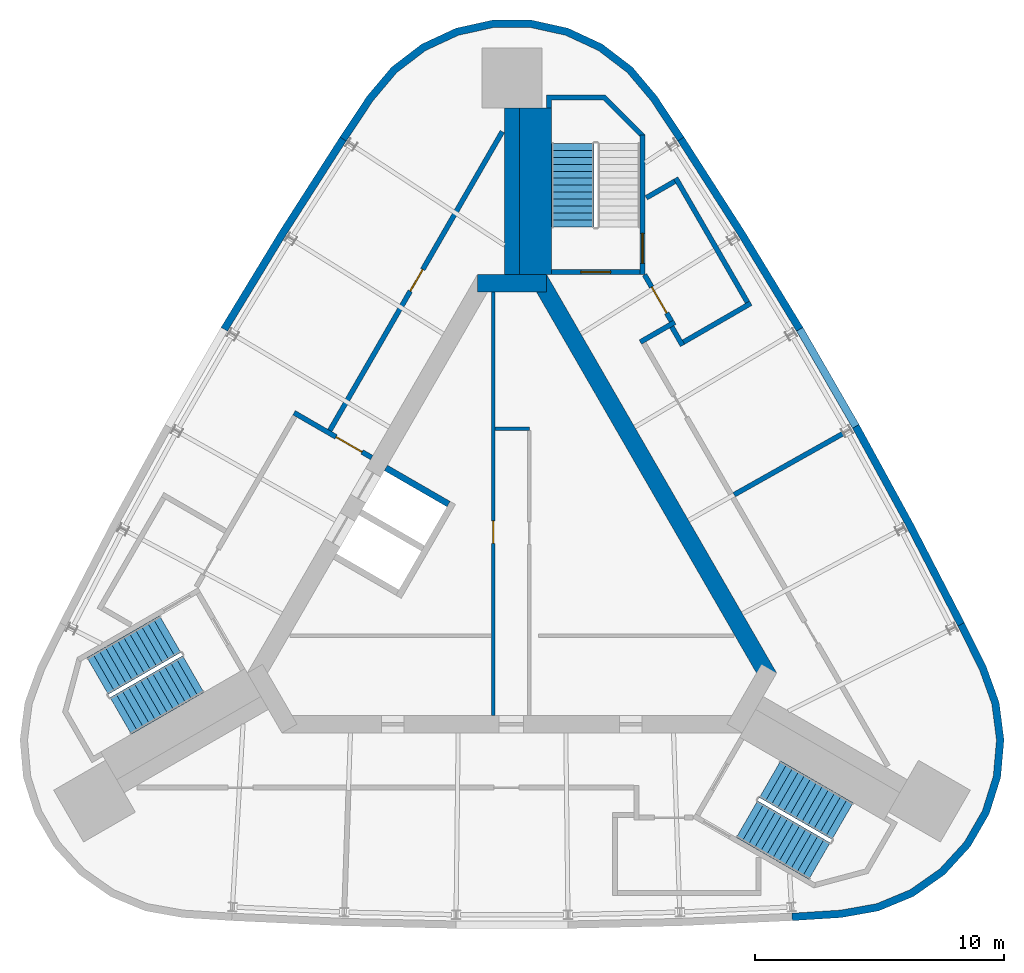
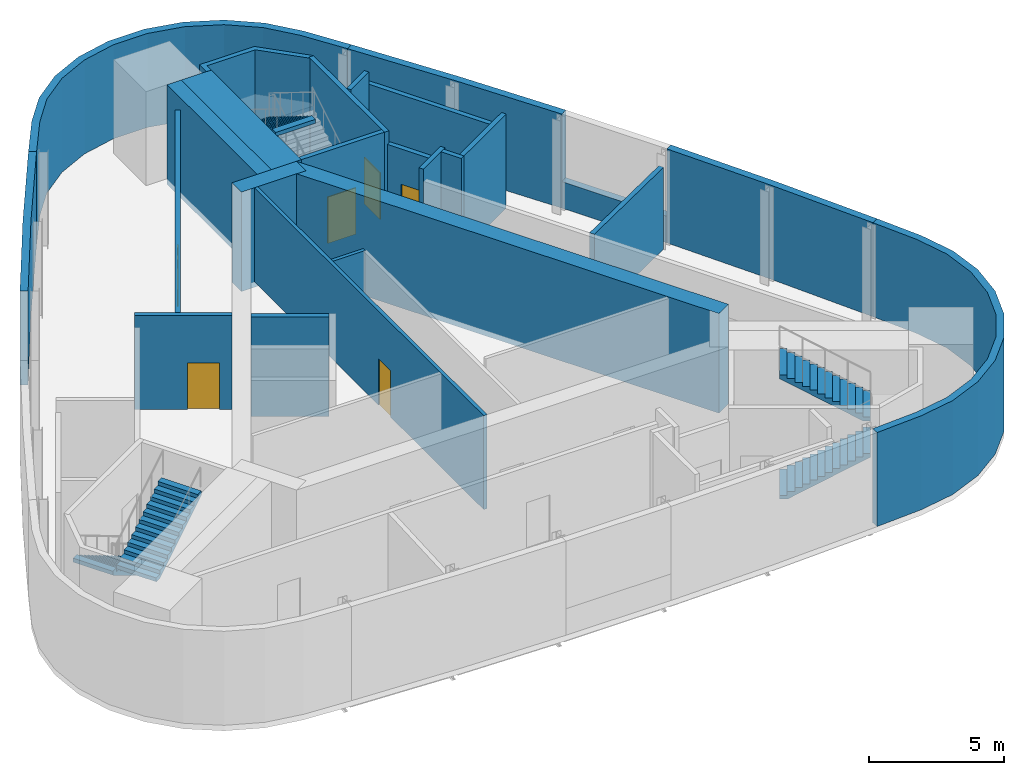
# One storey, part 5 of 7: 25 walls, 6 doors, 5 stair flights, 6 openings, 3 elements without a shape of their own.
"""IFC4 building model written with IfcOpenShell, lengths in metres."""

from ifc_helpers import new_model, si_unit, direction, frame, frame_2d, origin, place, context, subcontext, project, spatial, polyline, rectangle, outline, extrude, material, layer, layer_set, type_object, element, fill, aggregate, save


model = new_model("IFC4")

# Units and contexts
model_context = context("Model", 3, precision=1e-05, world=origin(), true_north=direction((0.0, 1.0)))
body_context = subcontext(model_context, "Body", "Model", "MODEL_VIEW")
ifc_project = project(units=[si_unit("LENGTHUNIT", "METRE"), si_unit("AREAUNIT", "SQUARE_METRE"), si_unit("VOLUMEUNIT", "CUBIC_METRE"), si_unit("PLANEANGLEUNIT", "RADIAN"), si_unit("MASSUNIT", "GRAM", prefix="KILO")], contexts=[model_context])

# Site, building, storey
site_placement = place(None, origin())
site = spatial("IfcSite", under=ifc_project, at=site_placement, CompositionType="ELEMENT")
building_placement = place(site_placement, origin())
building = spatial("IfcBuilding", under=site, at=building_placement, Name="Noor Cloister Tower", CompositionType="ELEMENT")
storey_placement = place(building_placement, frame((0.0, 0.0, 297.60009765625)))
storey = spatial("IfcBuildingStorey", under=building, at=storey_placement, Name="L75", CompositionType="ELEMENT", Elevation=297.60009765625)

# Wall
ifc_material_1 = material(Name="Concrete C50/60", Category="concrete")
ifc_layer_1 = layer(ifc_material_1, 0.60009765625)
ifc_layer_set_1 = layer_set([ifc_layer_1], Name="Buttress wall 600 C50/60")
wall_type_1 = type_object("IfcWallType", Name="Buttress wall 600 C50/60", PredefinedType="SHEAR", material=ifc_layer_set_1)
wall_1_placement = place(storey_placement, frame((0.0, 11.456298828125, -0.25), z_axis=(0.0, 0.0, 1.0), x_axis=(0.0, 1.0, 0.0)))
element("IfcWall", 1, at=wall_1_placement, inside=storey, type_object=wall_type_1, Name="Buttress wall N L75", PredefinedType="SHEAR", context=body_context, shape_type="SweptSolid", body=[
    extrude(rectangle(XDim=6.6787109375, YDim=0.60009765625, at=frame_2d((3.33935546875, 0.0))), origin(), (0.0, 0.0, 1.0), 4.5),
])

# Wall, opening, door
ifc_material_2 = material(Name="Concrete C30/37", Category="concrete")
ifc_layer_2 = layer(ifc_material_2, 0.14990234375)
ifc_layer_set_2 = layer_set([ifc_layer_2], Name="Core partition 150 C30/37")
wall_type_2 = type_object("IfcWallType", Name="Core partition 150 C30/37", PredefinedType="PARTITIONING", material=ifc_layer_set_2)
wall_2_placement = place(storey_placement, frame((-0.753662109375, 10.75634765625, 0.0), z_axis=(0.0, 0.0, 1.0), x_axis=(0.0, -1.0, 0.0)))
wall_2 = element("IfcWall", 2, at=wall_2_placement, inside=storey, type_object=wall_type_2, Name="Core room partition L75 2", PredefinedType="PARTITIONING", context=body_context, shape_type="SweptSolid", body=[
    extrude(rectangle(XDim=16.984619140625, YDim=0.14990234375, at=frame_2d((8.4921875, 0.0))), origin(), (0.0, 0.0, 1.0), 4.25),
])
opening_1_placement = place(wall_2_placement, frame((9.1845703125, 0.0, 0.0)))
opening_1 = element("IfcOpeningElement", 3, at=opening_1_placement, cuts=wall_2, Name="Opening L75-904", PredefinedType="OPENING", context=body_context, shape_type="SweptSolid", body=[
    extrude(rectangle(XDim=0.89990234375, YDim=2.10009765625, at=frame_2d((0.449951171875, 1.050048828125))), frame((0.0, 0.0849609375, 0.0), z_axis=(0.0, -1.0, 0.0), x_axis=(1.0, 0.0, 0.0)), (0.0, 0.0, 1.0), 0.169921875),
])
ifc_material_3 = material(Name="Steel", Category="steel")
door_type_1 = type_object("IfcDoorType", Name="Core door 900 x 2100 FD120", OperationType="SINGLE_SWING_LEFT", PredefinedType="DOOR", material=ifc_material_3)
door_1_placement = place(opening_1_placement, origin())
door_1 = element("IfcDoor", 4, at=door_1_placement, inside=storey, type_object=door_type_1, Name="Core door 4 L75", OperationType="SINGLE_SWING_RIGHT", OverallHeight=2.10009765625, OverallWidth=0.89990234375, PredefinedType="DOOR", context=body_context, shape_type="SweptSolid", body=[
    extrude(rectangle(XDim=0.89990234375, YDim=2.10009765625, at=frame_2d((0.449951171875, 1.050048828125))), frame((0.0, 0.02490234375, 0.0), z_axis=(0.0, -1.0, 0.0), x_axis=(1.0, 0.0, 0.0)), (0.0, 0.0, 1.0), 0.050048828125),
])
fill(opening_1, door_1)

# Walls
wall_3_placement = place(storey_placement, frame((-0.6787109375, 5.271728515625, 0.0), z_axis=(0.0, 0.0, 1.0), x_axis=(1.0, 0.0, 0.0)))
element("IfcWall", 5, at=wall_3_placement, inside=storey, type_object=wall_type_2, Name="Core room partition L75 3", PredefinedType="PARTITIONING", context=body_context, shape_type="SweptSolid", body=[
    extrude(rectangle(XDim=1.375, YDim=0.14990234375, at=frame_2d((0.6875, 0.0))), origin(), (0.0, 0.0, 1.0), 4.25),
])
ifc_material_4 = material(Name="Concrete C50/60", Category="concrete")
ifc_layer_3 = layer(ifc_material_4, 0.699951171875)
ifc_layer_set_3 = layer_set([ifc_layer_3], Name="Core wall 700 C50/60")
wall_type_3 = type_object("IfcWallType", Name="Core wall 700 C50/60", PredefinedType="SHEAR", material=ifc_layer_set_3)
wall_4_placement = place(storey_placement, frame((10.311279296875, -4.703125, -0.25), z_axis=(0.0, 0.0, 1.0), x_axis=(-0.500001446645, 0.866024568562, 0.0)))
element("IfcWall", 6, at=wall_4_placement, inside=storey, type_object=wall_type_3, Name="Core wall L75 3", PredefinedType="SHEAR", context=body_context, shape_type="SweptSolid", body=[
    extrude(rectangle(XDim=18.45751953125, YDim=0.699951171875, at=frame_2d((9.228759765625, 0.0))), origin(), (0.0, 0.0, 1.0), 4.5),
])
wall_5_placement = place(storey_placement, frame((1.3857421875, 11.1064453125, -0.25), z_axis=(0.0, 0.0, 1.0), x_axis=(-1.0, 0.0, 0.0)))
element("IfcWall", 7, at=wall_5_placement, inside=storey, type_object=wall_type_3, Name="Core wall L75 4", PredefinedType="SHEAR", context=body_context, shape_type="SweptSolid", body=[
    extrude(rectangle(XDim=2.771484375, YDim=0.699951171875, at=frame_2d((1.3857421875, 0.0))), origin(), (0.0, 0.0, 1.0), 4.5),
])
ifc_material_5 = material(Name="Limestone", Category="masonry")
ifc_layer_4 = layer(ifc_material_5, 0.300048828125)
ifc_layer_set_4 = layer_set([ifc_layer_4], Name="Limestone cladding 300")
wall_type_4 = type_object("IfcWallType", Name="Limestone cladding 300", PredefinedType="NOTDEFINED", material=ifc_layer_set_4)
wall_6_placement = place(storey_placement, origin())
element("IfcWall", 8, at=wall_6_placement, inside=storey, type_object=wall_type_4, Name="Limestone pier cladding L75 2.1", PredefinedType="NOTDEFINED", context=body_context, shape_type="SweptSolid", body=[
    extrude(outline(polyline([(11.24365234375, -14.46044921875), (13.21142578125, -14.336181640625), (14.707763671875, -14.068603515625), (16.11083984375, -13.484619140625), (17.35498046875, -12.611083984375), (18.381103515625, -11.489990234375), (19.14111328125, -10.173583984375), (19.59912109375, -8.724365234375), (19.7333984375, -7.210205078125), (19.53759765625, -5.702880859375), (19.021240234375, -4.2734375), (18.14501953125, -2.507080078125), (17.876220703125, -2.640380859375), (18.744873046875, -4.391357421875), (19.244384765625, -5.77392578125), (19.431640625, -7.21630859375), (19.30322265625, -8.6650390625), (18.864990234375, -10.052001953125), (18.1376953125, -11.3115234375), (17.15576171875, -12.384521484375), (15.96533203125, -13.22021484375), (14.62255859375, -13.779052734375), (13.175537109375, -14.037841796875), (11.224853515625, -14.1611328125), (11.24365234375, -14.46044921875)])), origin(), (0.0, 0.0, 1.0), 4.25),
])
wall_7_placement = place(storey_placement, origin())
element("IfcWall", 9, at=wall_7_placement, inside=storey, type_object=wall_type_4, Name="Limestone pier cladding L75 3.1", PredefinedType="NOTDEFINED", context=body_context, shape_type="SweptSolid", body=[
    extrude(outline(polyline([(6.9013671875, 16.967529296875), (5.809814453125, 18.609619140625), (4.830078125, 19.771484375), (3.62255859375, 20.69482421875), (2.244140625, 21.33544921875), (0.760009765625, 21.66357421875), (-0.760009765625, 21.66357421875), (-2.244140625, 21.33544921875), (-3.62255859375, 20.69482421875), (-4.830078125, 19.771484375), (-5.809814453125, 18.609619140625), (-6.9013671875, 16.967529296875), (-6.6513671875, 16.801513671875), (-5.5693359375, 18.42919921875), (-4.621826171875, 19.55322265625), (-3.46630859375, 20.4365234375), (-2.1474609375, 21.049560546875), (-0.727294921875, 21.363525390625), (0.727294921875, 21.363525390625), (2.1474609375, 21.049560546875), (3.46630859375, 20.4365234375), (4.621826171875, 19.55322265625), (5.5693359375, 18.42919921875), (6.6513671875, 16.801513671875), (6.9013671875, 16.967529296875)])), origin(), (0.0, 0.0, 1.0), 4.25),
])
ifc_material_6 = material(Name="Limestone", Category="masonry")
ifc_layer_5 = layer(ifc_material_6, 0.300048828125)
ifc_layer_set_5 = layer_set([ifc_layer_5], Name="Limestone panel wall 300")
wall_type_5 = type_object("IfcWallType", Name="Limestone panel wall 300", PredefinedType="NOTDEFINED", material=ifc_layer_set_5)
wall_8_placement = place(storey_placement, origin())
element("IfcWall", 10, at=wall_8_placement, inside=storey, type_object=wall_type_5, Name="Limestone crown wall L75 1a", PredefinedType="NOTDEFINED", context=body_context, shape_type="SweptSolid", body=[
    extrude(outline(polyline([(-6.9013671875, 16.967529296875), (-9.32958984375, 13.178955078125), (-11.669189453125, 9.335205078125), (-11.4130859375, 9.17919921875), (-9.074951171875, 13.02001953125), (-6.648681640625, 16.8056640625), (-6.9013671875, 16.967529296875)])), origin(), (0.0, 0.0, 1.0), 4.25),
])
wall_9_placement = place(storey_placement, origin())
element("IfcWall", 11, at=wall_9_placement, inside=storey, type_object=wall_type_5, Name="Limestone crown wall L75 3a", PredefinedType="NOTDEFINED", context=body_context, shape_type="SweptSolid", body=[
    extrude(outline(polyline([(18.14501953125, -2.507080078125), (16.078125, 1.489990234375), (13.919189453125, 5.438232421875), (13.656005859375, 5.294189453125), (15.813232421875, 1.34912109375), (17.87841796875, -2.644775390625), (18.14501953125, -2.507080078125)])), origin(), (0.0, 0.0, 1.0), 4.25),
])
wall_10_placement = place(storey_placement, origin())
element("IfcWall", 12, at=wall_10_placement, inside=storey, type_object=wall_type_5, Name="Limestone crown wall L75 3b", PredefinedType="NOTDEFINED", context=body_context, shape_type="SweptSolid", body=[
    extrude(outline(polyline([(11.669189453125, 9.335205078125), (9.32958984375, 13.178955078125), (6.9013671875, 16.967529296875), (6.648681640625, 16.8056640625), (9.074951171875, 13.02001953125), (11.4130859375, 9.17919921875), (11.669189453125, 9.335205078125)])), origin(), (0.0, 0.0, 1.0), 4.25),
])
wall_11_placement = place(storey_placement, origin())
element("IfcWall", 13, at=wall_11_placement, inside=storey, type_object=wall_type_5, Name="Limestone crown wall L75 3 lower", PredefinedType="NOTDEFINED", context=body_context, shape_type="SweptSolid", body=[
    extrude(outline(polyline([(13.919189453125, 5.438232421875), (11.669189453125, 9.335205078125), (11.409423828125, 9.185302734375), (13.659423828125, 5.288330078125), (13.919189453125, 5.438232421875)])), origin(), (0.0, 0.0, 1.0), 1.199951171875),
])
ifc_material_7 = material(Name="Concrete C50/60", Category="concrete")
ifc_layer_6 = layer(ifc_material_7, 0.25)
ifc_layer_set_6 = layer_set([ifc_layer_6], Name="Shaft wall 250 C50/60")
wall_type_6 = type_object("IfcWallType", Name="Shaft wall 250 C50/60", PredefinedType="PARTITIONING", material=ifc_layer_set_6)
wall_12_placement = place(storey_placement, frame((-5.056396484375, 3.69873046875, -0.25), z_axis=(0.0, 0.0, 1.0), x_axis=(0.866032775405, -0.499987231761, 0.0)))
element("IfcWall", 14, at=wall_12_placement, inside=storey, type_object=wall_type_6, Name="Lift shaft wall L75 NW 3", PredefinedType="PARTITIONING", context=body_context, shape_type="SweptSolid", body=[
    extrude(rectangle(XDim=2.89990234375, YDim=0.25, at=frame_2d((1.449951171875, 0.0))), origin(), (0.0, 0.0, 1.0), 4.5),
])
ifc_material_8 = material(Name="Concrete C50/60", Category="concrete")
ifc_layer_7 = layer(ifc_material_8, 1.285888671875)
ifc_layer_set_7 = layer_set([ifc_layer_7], Name="Stair enclosure wall 1286 C50/60")
wall_type_7 = type_object("IfcWallType", Name="Stair enclosure wall 1286 C50/60", PredefinedType="SHEAR", material=ifc_layer_set_7)
wall_13_placement = place(storey_placement, frame((0.94287109375, 11.456298828125, -0.25), z_axis=(0.0, 0.0, 1.0), x_axis=(0.0, 1.0, 0.0)))
element("IfcWall", 15, at=wall_13_placement, inside=storey, type_object=wall_type_7, Name="Stair enclosure wall ST1 L75 riser side", PredefinedType="SHEAR", context=body_context, shape_type="SweptSolid", body=[
    extrude(rectangle(XDim=6.6787109375, YDim=1.28564453125, at=frame_2d((3.33935546875, 0.0))), origin(), (0.0, 0.0, 1.0), 4.5),
])

# Wall, opening, door
ifc_material_9 = material(Name="Concrete C50/60", Category="concrete")
ifc_layer_8 = layer(ifc_material_9, 0.199951171875)
ifc_layer_set_8 = layer_set([ifc_layer_8], Name="Stair enclosure wall 200 C50/60")
wall_type_8 = type_object("IfcWallType", Name="Stair enclosure wall 200 C50/60", PredefinedType="SHEAR", material=ifc_layer_set_8)
wall_14_placement = place(storey_placement, frame((5.135498046875, 11.556396484375, -0.25), z_axis=(0.0, 0.0, 1.0), x_axis=(-1.0, 0.0, 0.0)))
wall_14 = element("IfcWall", 16, at=wall_14_placement, inside=storey, type_object=wall_type_8, Name="Stair enclosure wall ST1 L75 near end", PredefinedType="SHEAR", context=body_context, shape_type="SweptSolid", body=[
    extrude(rectangle(XDim=3.5498046875, YDim=0.199951171875, at=frame_2d((1.77490234375, 0.0))), origin(), (0.0, 0.0, 1.0), 4.5),
])
opening_2_placement = place(wall_14_placement, frame((1.175048828125, 0.0, 0.25)))
opening_2 = element("IfcOpeningElement", 17, at=opening_2_placement, cuts=wall_14, Name="Opening L75-ST1L", PredefinedType="OPENING", context=body_context, shape_type="SweptSolid", body=[
    extrude(rectangle(XDim=1.199951171875, YDim=2.10009765625, at=frame_2d((0.60009765625, 1.050048828125))), frame((0.0, 0.10986328125, 0.0), z_axis=(0.0, -1.0, 0.0), x_axis=(1.0, 0.0, 0.0)), (0.0, 0.0, 1.0), 0.219970703125),
])
ifc_material_10 = material(Name="Steel", Category="steel")
door_type_2 = type_object("IfcDoorType", Name="Stair door 1200 x 2100 FD120", OperationType="SINGLE_SWING_LEFT", PredefinedType="DOOR", material=ifc_material_10)
door_2_placement = place(opening_2_placement, origin())
door_2 = element("IfcDoor", 18, at=door_2_placement, inside=storey, type_object=door_type_2, Name="Stair door ST1 L75", OperationType="SINGLE_SWING_RIGHT", OverallHeight=2.10009765625, OverallWidth=1.199951171875, PredefinedType="DOOR", context=body_context, shape_type="SweptSolid", body=[
    extrude(rectangle(XDim=1.199951171875, YDim=2.10009765625, at=frame_2d((0.60009765625, 1.050048828125))), frame((0.0, 0.02490234375, 0.0), z_axis=(0.0, -1.0, 0.0), x_axis=(1.0, 0.0, 0.0)), (0.0, 0.0, 1.0), 0.050048828125),
])
fill(opening_2, door_2)

wall_15_placement = place(storey_placement, frame((5.235595703125, 11.456298828125, -0.25), z_axis=(0.0, 0.0, 1.0), x_axis=(0.0, 1.0, 0.0)))
wall_15 = element("IfcWall", 19, at=wall_15_placement, inside=storey, type_object=wall_type_8, Name="Stair enclosure wall ST1 L75 outer side", PredefinedType="SHEAR", context=body_context, shape_type="SweptSolid", body=[
    extrude(rectangle(XDim=5.60009765625, YDim=0.199951171875, at=frame_2d((2.800048828125, 0.0))), origin(), (0.0, 0.0, 1.0), 4.5),
])
opening_3_placement = place(wall_15_placement, frame((0.449951171875, 0.0, 0.25)))
opening_3 = element("IfcOpeningElement", 20, at=opening_3_placement, cuts=wall_15, Name="Opening L75-ST1C", PredefinedType="OPENING", context=body_context, shape_type="SweptSolid", body=[
    extrude(rectangle(XDim=1.199951171875, YDim=2.10009765625, at=frame_2d((0.60009765625, 1.050048828125))), frame((0.0, 0.10986328125, 0.0), z_axis=(0.0, -1.0, 0.0), x_axis=(1.0, 0.0, 0.0)), (0.0, 0.0, 1.0), 0.219970703125),
])
door_3_placement = place(opening_3_placement, origin())
door_3 = element("IfcDoor", 21, at=door_3_placement, inside=storey, type_object=door_type_2, Name="Stair door ST1 L75", OperationType="SINGLE_SWING_LEFT", OverallHeight=2.10009765625, OverallWidth=1.199951171875, PredefinedType="DOOR", context=body_context, shape_type="SweptSolid", body=[
    extrude(rectangle(XDim=1.199951171875, YDim=2.10009765625, at=frame_2d((0.60009765625, 1.050048828125))), frame((0.0, 0.02490234375, 0.0), z_axis=(0.0, -1.0, 0.0), x_axis=(1.0, 0.0, 0.0)), (0.0, 0.0, 1.0), 0.050048828125),
])
fill(opening_3, door_3)

# Wall
ifc_material_11 = material(Name="Concrete C50/60", Category="concrete")
wall_type_9 = type_object("IfcWallType", Name="Stair far end wall C50/60", PredefinedType="SHEAR", material=ifc_material_11)
wall_16_placement = place(storey_placement, frame((0.0, 0.0, -0.25)))
element("IfcWall", 22, at=wall_16_placement, inside=storey, type_object=wall_type_9, Name="Stair enclosure wall ST1 L75 far end", PredefinedType="SHEAR", context=body_context, shape_type="SweptSolid", body=[
    extrude(outline(polyline([(5.335693359375, 17.056396484375), (3.735595703125, 18.656494140625), (1.385498046875, 18.656494140625), (1.385498046875, 18.135009765625), (1.585693359375, 18.135009765625), (1.585693359375, 18.456298828125), (3.65283203125, 18.456298828125), (5.135498046875, 16.9736328125), (5.135498046875, 17.056396484375), (5.135498046875, 17.056396484375), (5.135498046875, 17.056396484375), (5.135498046875, 17.056396484375), (5.135498046875, 17.056396484375), (5.135498046875, 17.056396484375), (5.135498046875, 17.056396484375), (5.135498046875, 17.056396484375), (5.135498046875, 17.056396484375), (5.135498046875, 17.056396484375), (5.135498046875, 17.056396484375), (5.135498046875, 17.056396484375), (5.135498046875, 17.056396484375), (5.135498046875, 17.056396484375), (5.135498046875, 17.056396484375), (5.135498046875, 17.056396484375), (5.135498046875, 17.056396484375), (5.335693359375, 17.056396484375)])), origin(), (0.0, 0.0, 1.0), 4.5),
])

# Wall, opening, door
ifc_material_12 = material(Name="Concrete block wall, 200 mm", Category="concrete")
ifc_layer_9 = layer(ifc_material_12, 0.199951171875)
ifc_layer_set_9 = layer_set([ifc_layer_9], Name="Upper floor plant room wall 200")
wall_type_10 = type_object("IfcWallType", Name="Upper floor plant room wall 200", PredefinedType="PARTITIONING", material=ifc_layer_set_9)
wall_17_placement = place(storey_placement, frame((-8.740966796875, 5.91259765625, 0.0), z_axis=(0.0, 0.0, 1.0), x_axis=(0.866017220491, -0.500014173611, 0.0)))
wall_17 = element("IfcWall", 23, at=wall_17_placement, inside=storey, type_object=wall_type_10, Name="Upper floor plant room wall 200 L75 001", PredefinedType="PARTITIONING", context=body_context, shape_type="SweptSolid", body=[
    extrude(rectangle(XDim=3.59814453125, YDim=0.199951171875, at=frame_2d((1.799072265625, 0.0))), origin(), (0.0, 0.0, 1.0), 4.25),
])
opening_4_placement = place(wall_17_placement, frame((1.947509765625, 0.0, 0.0)))
opening_4 = element("IfcOpeningElement", 24, at=opening_4_placement, cuts=wall_17, Name="Opening L75-002", PredefinedType="OPENING", context=body_context, shape_type="SweptSolid", body=[
    extrude(rectangle(XDim=1.199951171875, YDim=2.10009765625, at=frame_2d((0.60009765625, 1.050048828125))), frame((0.0, 0.10986328125, 0.0), z_axis=(0.0, -1.0, 0.0), x_axis=(1.0, 0.0, 0.0)), (0.0, 0.0, 1.0), 0.219970703125),
])
ifc_material_13 = material(Name="Timber door leaf with steel frame", Category="steel")
door_type_3 = type_object("IfcDoorType", Name="Firefighting lobby door 1200", OperationType="NOTDEFINED", PredefinedType="DOOR", material=ifc_material_13)
door_4_placement = place(opening_4_placement, origin())
door_4 = element("IfcDoor", 25, at=door_4_placement, inside=storey, type_object=door_type_3, Name="Firefighting lobby door 1200 L75-002", OperationType="SINGLE_SWING_RIGHT", OverallHeight=2.10009765625, OverallWidth=1.199951171875, PredefinedType="DOOR", context=body_context, shape_type="SweptSolid", body=[
    extrude(rectangle(XDim=1.199951171875, YDim=2.10009765625, at=frame_2d((0.60009765625, 1.050048828125))), frame((0.0, 0.02490234375, 0.0), z_axis=(0.0, -1.0, 0.0), x_axis=(1.0, 0.0, 0.0)), (0.0, 0.0, 1.0), 0.050048828125),
])
fill(opening_4, door_4)

wall_18_placement = place(storey_placement, frame((-7.30712890625, 5.2001953125, 0.0), z_axis=(0.0, 0.0, 1.0), x_axis=(0.49999780173, 0.866026672953, 0.0)))
wall_18 = element("IfcWall", 26, at=wall_18_placement, inside=storey, type_object=wall_type_10, Name="Upper floor plant room wall 200 L75 004", PredefinedType="PARTITIONING", context=body_context, shape_type="SweptSolid", body=[
    extrude(rectangle(XDim=13.8408203125, YDim=0.199951171875, at=frame_2d((6.92041015625, 0.0))), origin(), (0.0, 0.0, 1.0), 3.701904296875),
])
opening_5_placement = place(wall_18_placement, frame((6.453857421875, 0.0, 0.0)))
opening_5 = element("IfcOpeningElement", 27, at=opening_5_placement, cuts=wall_18, Name="Opening L75-001", PredefinedType="OPENING", context=body_context, shape_type="SweptSolid", body=[
    extrude(rectangle(XDim=1.0, YDim=2.10009765625, at=frame_2d((0.5, 1.050048828125))), frame((0.0, 0.10986328125, 0.0), z_axis=(0.0, -1.0, 0.0), x_axis=(1.0, 0.0, 0.0)), (0.0, 0.0, 1.0), 0.219970703125),
])
ifc_material_14 = material(Name="Timber door leaf with steel frame", Category="steel")
door_type_4 = type_object("IfcDoorType", Name="Plant room door 1000", OperationType="NOTDEFINED", PredefinedType="DOOR", material=ifc_material_14)
door_5_placement = place(opening_5_placement, origin())
door_5 = element("IfcDoor", 28, at=door_5_placement, inside=storey, type_object=door_type_4, Name="Plant room door 1000 L75-001", OperationType="SINGLE_SWING_RIGHT", OverallHeight=2.10009765625, OverallWidth=1.0, PredefinedType="DOOR", context=body_context, shape_type="SweptSolid", body=[
    extrude(rectangle(XDim=1.0, YDim=2.10009765625, at=frame_2d((0.5, 1.050048828125))), frame((0.0, 0.02490234375, 0.0), z_axis=(0.0, -1.0, 0.0), x_axis=(1.0, 0.0, 0.0)), (0.0, 0.0, 1.0), 0.050048828125),
])
fill(opening_5, door_5)

# Walls
wall_19_placement = place(storey_placement, frame((6.407958984375, 9.357666015625, 0.0), z_axis=(0.0, 0.0, 1.0), x_axis=(0.49996696679, -0.866044474677, 0.0)))
element("IfcWall", 29, at=wall_19_placement, inside=storey, type_object=wall_type_10, Name="Upper floor plant room wall 200 L75 015", PredefinedType="PARTITIONING", context=body_context, shape_type="SweptSolid", body=[
    extrude(rectangle(XDim=0.8642578125, YDim=0.199951171875, at=frame_2d((0.43212890625, 0.0))), origin(), (0.0, 0.0, 1.0), 4.25),
])
wall_20_placement = place(storey_placement, frame((5.147216796875, 8.7451171875, 0.0), z_axis=(0.0, 0.0, 1.0), x_axis=(0.865987117328, 0.500066308224, 0.0)))
element("IfcWall", 30, at=wall_20_placement, inside=storey, type_object=wall_type_10, Name="Upper floor plant room wall 200 L75 016", PredefinedType="PARTITIONING", context=body_context, shape_type="SweptSolid", body=[
    extrude(rectangle(XDim=1.597900390625, YDim=0.199951171875, at=frame_2d((0.798828125, 0.0))), origin(), (0.0, 0.0, 1.0), 4.25),
])

# Wall, opening, door
wall_21_placement = place(storey_placement, frame((6.39453125, 9.580810546875, 0.0), z_axis=(0.0, 0.0, 1.0), x_axis=(-0.500003735859, 0.866023246874, 0.0)))
wall_21 = element("IfcWall", 31, at=wall_21_placement, inside=storey, type_object=wall_type_10, Name="Upper floor plant room wall 200 L75 017", PredefinedType="PARTITIONING", context=body_context, shape_type="SweptSolid", body=[
    extrude(rectangle(XDim=2.15380859375, YDim=0.199951171875, at=frame_2d((1.076904296875, 0.0))), origin(), (0.0, 0.0, 1.0), 3.701904296875),
])
opening_6_placement = place(wall_21_placement, frame((0.383056640625, 0.0, 0.0)))
opening_6 = element("IfcOpeningElement", 32, at=opening_6_placement, cuts=wall_21, Name="Opening L75-009", PredefinedType="OPENING", context=body_context, shape_type="SweptSolid", body=[
    extrude(rectangle(XDim=1.199951171875, YDim=2.10009765625, at=frame_2d((0.60009765625, 1.050048828125))), frame((0.0, 0.10986328125, 0.0), z_axis=(0.0, -1.0, 0.0), x_axis=(1.0, 0.0, 0.0)), (0.0, 0.0, 1.0), 0.219970703125),
])
ifc_material_15 = material(Name="Timber door leaf with steel frame", Category="steel")
door_type_5 = type_object("IfcDoorType", Name="Protected lobby door 1200", OperationType="NOTDEFINED", PredefinedType="DOOR", material=ifc_material_15)
door_6_placement = place(opening_6_placement, origin())
door_6 = element("IfcDoor", 33, at=door_6_placement, inside=storey, type_object=door_type_5, Name="Protected lobby door 1200 L75-009", OperationType="SINGLE_SWING_LEFT", OverallHeight=2.10009765625, OverallWidth=1.199951171875, PredefinedType="DOOR", context=body_context, shape_type="SweptSolid", body=[
    extrude(rectangle(XDim=1.199951171875, YDim=2.10009765625, at=frame_2d((0.60009765625, 1.050048828125))), frame((0.0, 0.02490234375, 0.0), z_axis=(0.0, -1.0, 0.0), x_axis=(1.0, 0.0, 0.0)), (0.0, 0.0, 1.0), 0.050048828125),
])
fill(opening_6, door_6)

# Walls
wall_22_placement = place(storey_placement, frame((8.911376953125, 2.623779296875, 0.0), z_axis=(0.0, 0.0, 1.0), x_axis=(0.871756434121, 0.48993950603, 0.0)))
element("IfcWall", 34, at=wall_22_placement, inside=storey, type_object=wall_type_10, Name="Upper floor plant room wall 200 L75 019", PredefinedType="PARTITIONING", context=body_context, shape_type="SweptSolid", body=[
    extrude(rectangle(XDim=5.04443359375, YDim=0.199951171875, at=frame_2d((2.522216796875, 0.0))), origin(), (0.0, 0.0, 1.0), 3.701904296875),
])
wall_23_placement = place(storey_placement, frame((6.877685546875, 8.743896484375, 0.0), z_axis=(0.0, 0.0, 1.0), x_axis=(0.866023983177, 0.500002460556, 0.0)))
element("IfcWall", 35, at=wall_23_placement, inside=storey, type_object=wall_type_10, Name="Upper floor plant room wall 200 L75 020", PredefinedType="PARTITIONING", context=body_context, shape_type="SweptSolid", body=[
    extrude(rectangle(XDim=3.11962890625, YDim=0.199951171875, at=frame_2d((1.559814453125, 0.0))), origin(), (0.0, 0.0, 1.0), 4.25),
])
wall_24_placement = place(storey_placement, frame((6.566162109375, 15.326904296875, 0.0), z_axis=(0.0, 0.0, 1.0), x_axis=(0.499997778408, -0.866026686418, 0.0)))
element("IfcWall", 36, at=wall_24_placement, inside=storey, type_object=wall_type_10, Name="Upper floor plant room wall 200 L75 021", PredefinedType="PARTITIONING", context=body_context, shape_type="SweptSolid", body=[
    extrude(rectangle(XDim=5.7568359375, YDim=0.199951171875, at=frame_2d((2.87841796875, 0.0))), origin(), (0.0, 0.0, 1.0), 3.701904296875),
])
wall_25_placement = place(storey_placement, frame((6.528564453125, 15.19189453125, 0.0), z_axis=(0.0, 0.0, 1.0), x_axis=(-0.866117824122, -0.499839889103, 0.0)))
element("IfcWall", 37, at=wall_25_placement, inside=storey, type_object=wall_type_10, Name="Upper floor plant room wall 200 L75 022", PredefinedType="PARTITIONING", context=body_context, shape_type="SweptSolid", body=[
    extrude(rectangle(XDim=1.31982421875, YDim=0.199951171875, at=frame_2d((0.659912109375, 0.0))), origin(), (0.0, 0.0, 1.0), 4.25),
])

# Stair, stair flight
ifc_material_16 = material(Name="Concrete C40/50", Category="concrete")
stair_type = type_object("IfcStairType", Name="Exit stair 26 risers", PredefinedType="HALF_TURN_STAIR", material=ifc_material_16)
stair_1_placement = place(storey_placement, origin())
stair_1 = element("IfcStair", 38, at=stair_1_placement, inside=storey, type_object=stair_type, Name="Exit stair ST1 L75", PredefinedType="HALF_TURN_STAIR")
ifc_material_17 = material(Name="Concrete C40/50", Category="concrete")
stair_flight_type = type_object("IfcStairFlightType", Name="Exit stair flight", PredefinedType="STRAIGHT", material=ifc_material_17)
stair_flight_1_placement = place(storey_placement, frame((2.435546875, 16.71630859375, 2.25), z_axis=(0.0, 0.0, 1.0), x_axis=(0.0, -1.0, 0.0)))
stair_flight_1 = element("IfcStairFlight", 39, at=stair_flight_1_placement, type_object=stair_flight_type, Name="ST1 flight 2", NumberOfRisers=13, NumberOfTreads=12, PredefinedType="STRAIGHT", RiserHeight=0.173076923, TreadLength=0.28, context=body_context, shape_type="SweptSolid", body=[
    extrude(outline(polyline([(0.0, 0.0), (0.0, 0.173095703125), (0.280029296875, 0.173095703125), (0.280029296875, 0.34619140625), (0.56005859375, 0.34619140625), (0.56005859375, 0.519287109375), (0.840087890625, 0.519287109375), (0.840087890625, 0.6923828125), (1.1201171875, 0.6923828125), (1.1201171875, 0.865478515625), (1.39990234375, 0.865478515625), (1.39990234375, 1.03857421875), (1.679931640625, 1.03857421875), (1.679931640625, 1.21142578125), (1.9599609375, 1.21142578125), (1.9599609375, 1.384521484375), (2.239990234375, 1.384521484375), (2.239990234375, 1.5576171875), (2.52001953125, 1.5576171875), (2.52001953125, 1.730712890625), (2.800048828125, 1.730712890625), (2.800048828125, 1.90380859375), (3.080078125, 1.90380859375), (3.080078125, 2.076904296875), (3.360107421875, 2.076904296875), (3.360107421875, 2.25), (3.360107421875, 1.900634765625), (0.28515625, 0.0), (0.0, 0.0)])), frame((0.0, 0.85009765625, 0.0), z_axis=(0.0, -1.0, 0.0), x_axis=(1.0, 0.0, 0.0)), (0.0, 0.0, 1.0), 1.699951171875),
])
aggregate(stair_1, [stair_flight_1])

# Stair, stair flights
stair_2_placement = place(storey_placement, origin())
stair_2 = element("IfcStair", 40, at=stair_2_placement, inside=storey, type_object=stair_type, Name="Exit stair ST2 L75", PredefinedType="HALF_TURN_STAIR")
stair_flight_2_placement = place(storey_placement, frame((-13.709716796875, -2.966796875, 0.0), z_axis=(0.0, 0.0, 1.0), x_axis=(-0.866025403784, -0.5, 0.0)))
stair_flight_2 = element("IfcStairFlight", 41, at=stair_flight_2_placement, type_object=stair_flight_type, Name="ST2 flight 1", NumberOfRisers=13, NumberOfTreads=12, PredefinedType="STRAIGHT", RiserHeight=0.173076923, TreadLength=0.28, context=body_context, shape_type="SweptSolid", body=[
    extrude(outline(polyline([(0.0, 0.0), (0.0, 0.173095703125), (0.280029296875, 0.173095703125), (0.280029296875, 0.34619140625), (0.56005859375, 0.34619140625), (0.56005859375, 0.519287109375), (0.840087890625, 0.519287109375), (0.840087890625, 0.6923828125), (1.1201171875, 0.6923828125), (1.1201171875, 0.865478515625), (1.39990234375, 0.865478515625), (1.39990234375, 1.03857421875), (1.679931640625, 1.03857421875), (1.679931640625, 1.21142578125), (1.9599609375, 1.21142578125), (1.9599609375, 1.384521484375), (2.239990234375, 1.384521484375), (2.239990234375, 1.5576171875), (2.52001953125, 1.5576171875), (2.52001953125, 1.730712890625), (2.800048828125, 1.730712890625), (2.800048828125, 1.90380859375), (3.080078125, 1.90380859375), (3.080078125, 2.076904296875), (3.360107421875, 2.076904296875), (3.360107421875, 2.25), (3.360107421875, 1.900634765625), (0.28515625, 0.0), (0.0, 0.0)])), frame((0.0, 0.85009765625, 0.0), z_axis=(0.0, -1.0, 0.0), x_axis=(1.0, 0.0, 0.0)), (0.0, 0.0, 1.0), 1.699951171875),
])
stair_flight_3_placement = place(storey_placement, frame((-15.694580078125, -6.248779296875, 2.25), z_axis=(0.0, 0.0, 1.0), x_axis=(0.866025403784, 0.5, 0.0)))
stair_flight_3 = element("IfcStairFlight", 42, at=stair_flight_3_placement, type_object=stair_flight_type, Name="ST2 flight 2", NumberOfRisers=13, NumberOfTreads=12, PredefinedType="STRAIGHT", RiserHeight=0.173076923, TreadLength=0.28, context=body_context, shape_type="SweptSolid", body=[
    extrude(outline(polyline([(0.0, 0.0), (0.0, 0.173095703125), (0.280029296875, 0.173095703125), (0.280029296875, 0.34619140625), (0.56005859375, 0.34619140625), (0.56005859375, 0.519287109375), (0.840087890625, 0.519287109375), (0.840087890625, 0.6923828125), (1.1201171875, 0.6923828125), (1.1201171875, 0.865478515625), (1.39990234375, 0.865478515625), (1.39990234375, 1.03857421875), (1.679931640625, 1.03857421875), (1.679931640625, 1.21142578125), (1.9599609375, 1.21142578125), (1.9599609375, 1.384521484375), (2.239990234375, 1.384521484375), (2.239990234375, 1.5576171875), (2.52001953125, 1.5576171875), (2.52001953125, 1.730712890625), (2.800048828125, 1.730712890625), (2.800048828125, 1.90380859375), (3.080078125, 1.90380859375), (3.080078125, 2.076904296875), (3.360107421875, 2.076904296875), (3.360107421875, 2.25), (3.360107421875, 1.900634765625), (0.28515625, 0.0), (0.0, 0.0)])), frame((0.0, 0.85009765625, 0.0), z_axis=(0.0, -1.0, 0.0), x_axis=(1.0, 0.0, 0.0)), (0.0, 0.0, 1.0), 1.699951171875),
])
aggregate(stair_2, [stair_flight_2, stair_flight_3])

stair_3_placement = place(storey_placement, origin())
stair_3 = element("IfcStair", 43, at=stair_3_placement, inside=storey, type_object=stair_type, Name="Exit stair ST3 L75", PredefinedType="HALF_TURN_STAIR")
stair_flight_4_placement = place(storey_placement, frame((9.424072265625, -10.3896484375, 0.0), z_axis=(0.0, 0.0, 1.0), x_axis=(0.866025403784, -0.5, 0.0)))
stair_flight_4 = element("IfcStairFlight", 44, at=stair_flight_4_placement, type_object=stair_flight_type, Name="ST3 flight 1", NumberOfRisers=13, NumberOfTreads=12, PredefinedType="STRAIGHT", RiserHeight=0.173076923, TreadLength=0.28, context=body_context, shape_type="SweptSolid", body=[
    extrude(outline(polyline([(0.0, 0.0), (0.0, 0.173095703125), (0.280029296875, 0.173095703125), (0.280029296875, 0.34619140625), (0.56005859375, 0.34619140625), (0.56005859375, 0.519287109375), (0.840087890625, 0.519287109375), (0.840087890625, 0.6923828125), (1.1201171875, 0.6923828125), (1.1201171875, 0.865478515625), (1.39990234375, 0.865478515625), (1.39990234375, 1.03857421875), (1.679931640625, 1.03857421875), (1.679931640625, 1.21142578125), (1.9599609375, 1.21142578125), (1.9599609375, 1.384521484375), (2.239990234375, 1.384521484375), (2.239990234375, 1.5576171875), (2.52001953125, 1.5576171875), (2.52001953125, 1.730712890625), (2.800048828125, 1.730712890625), (2.800048828125, 1.90380859375), (3.080078125, 1.90380859375), (3.080078125, 2.076904296875), (3.360107421875, 2.076904296875), (3.360107421875, 2.25), (3.360107421875, 1.900634765625), (0.28515625, 0.0), (0.0, 0.0)])), frame((0.0, 0.85009765625, 0.0), z_axis=(0.0, -1.0, 0.0), x_axis=(1.0, 0.0, 0.0)), (0.0, 0.0, 1.0), 1.699951171875),
])
stair_flight_5_placement = place(storey_placement, frame((13.259033203125, -10.467529296875, 2.25), z_axis=(0.0, 0.0, 1.0), x_axis=(-0.866025403784, 0.5, 0.0)))
stair_flight_5 = element("IfcStairFlight", 45, at=stair_flight_5_placement, type_object=stair_flight_type, Name="ST3 flight 2", NumberOfRisers=13, NumberOfTreads=12, PredefinedType="STRAIGHT", RiserHeight=0.173076923, TreadLength=0.28, context=body_context, shape_type="SweptSolid", body=[
    extrude(outline(polyline([(0.0, 0.0), (0.0, 0.173095703125), (0.280029296875, 0.173095703125), (0.280029296875, 0.34619140625), (0.56005859375, 0.34619140625), (0.56005859375, 0.519287109375), (0.840087890625, 0.519287109375), (0.840087890625, 0.6923828125), (1.1201171875, 0.6923828125), (1.1201171875, 0.865478515625), (1.39990234375, 0.865478515625), (1.39990234375, 1.03857421875), (1.679931640625, 1.03857421875), (1.679931640625, 1.21142578125), (1.9599609375, 1.21142578125), (1.9599609375, 1.384521484375), (2.239990234375, 1.384521484375), (2.239990234375, 1.5576171875), (2.52001953125, 1.5576171875), (2.52001953125, 1.730712890625), (2.800048828125, 1.730712890625), (2.800048828125, 1.90380859375), (3.080078125, 1.90380859375), (3.080078125, 2.076904296875), (3.360107421875, 2.076904296875), (3.360107421875, 2.25), (3.360107421875, 1.900634765625), (0.28515625, 0.0), (0.0, 0.0)])), frame((0.0, 0.85009765625, 0.0), z_axis=(0.0, -1.0, 0.0), x_axis=(1.0, 0.0, 0.0)), (0.0, 0.0, 1.0), 1.699951171875),
])
aggregate(stair_3, [stair_flight_4, stair_flight_5])

save(model, "model.ifc")
